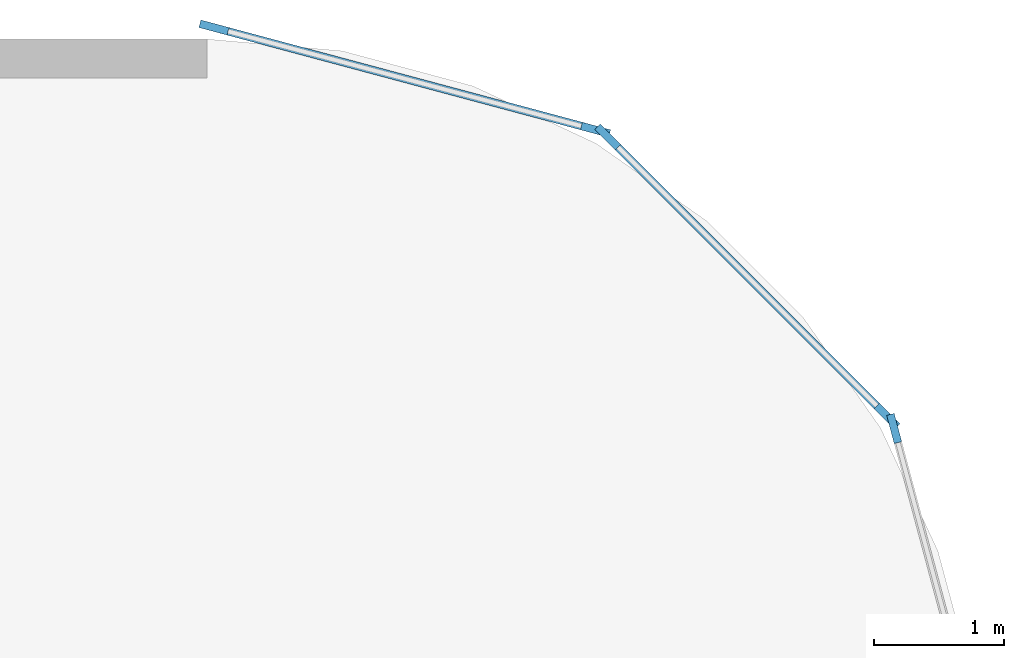
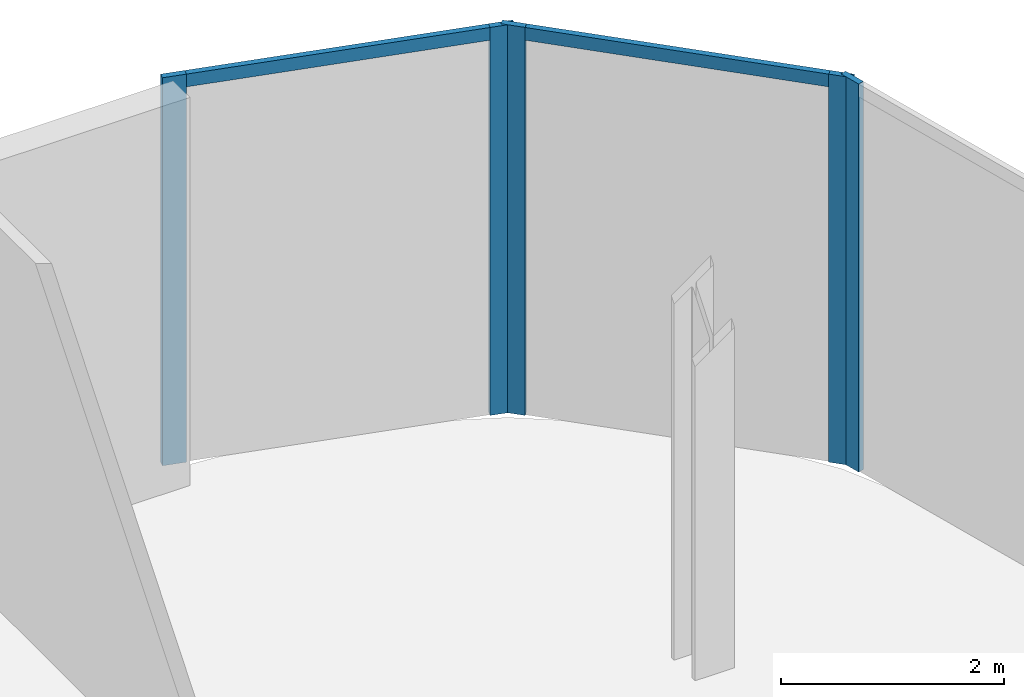
# One storey, part 23 of 43: 7 members, 3 elements without a shape of their own.
"""IFC4 building model written with IfcOpenShell, lengths in metres."""

from ifc_helpers import new_model, si_unit, direction, frame, origin, origin_2d, place, context, subcontext, project, spatial, rectangle, extrude, material, layer, layer_set, material_profile, profile_set, type_object, element, aggregate, save


model = new_model("IFC4")

# Units and contexts
model_context = context("Model", 3, precision=1e-05, world=origin(), true_north=direction((0.0, 1.0)))
body_context = subcontext(model_context, "Body", "Model", "MODEL_VIEW")
ifc_project = project(units=[si_unit("LENGTHUNIT", "METRE"), si_unit("AREAUNIT", "SQUARE_METRE"), si_unit("VOLUMEUNIT", "CUBIC_METRE"), si_unit("PLANEANGLEUNIT", "RADIAN"), si_unit("MASSUNIT", "GRAM", prefix="KILO")], contexts=[model_context])

# Site, building, storey
site_placement = place(None, origin())
site = spatial("IfcSite", under=ifc_project, at=site_placement, CompositionType="ELEMENT")
building_placement = place(site_placement, origin())
building = spatial("IfcBuilding", under=site, at=building_placement, Name="Kheshtan School and Residences Tower", CompositionType="ELEMENT")
storey_placement = place(building_placement, frame((0.0, 0.0, 26.0)))
storey = spatial("IfcBuildingStorey", under=building, at=storey_placement, Name="L05", CompositionType="ELEMENT", Elevation=26.0)

# Curtain wall, members
ifc_material_1 = material(Name="Clear low-e glass in thermally broken aluminium frame", Category="aluminium")
ifc_layer = layer(ifc_material_1, 0.22509765625)
ifc_layer_set = layer_set([ifc_layer], Name="Curtain wall CW-P")
curtain_wall_type = type_object("IfcCurtainWallType", Name="Curtain wall CW-P", PredefinedType="NOTDEFINED", material=ifc_layer_set)
curtain_wall_1_placement = place(storey_placement, origin())
curtain_wall_1 = element("IfcCurtainWall", 1, at=curtain_wall_1_placement, inside=storey, type_object=curtain_wall_type, Name="Curtain wall CWP5a", PredefinedType="NOTDEFINED")
ifc_material_2 = material(Name="Thermally broken aluminium, dark bronze anodised", Category="aluminium")
ifc_material_profile_1 = material_profile(ifc_material_2, rectangle(XDim=0.06005859375, YDim=0.22509765625, at=origin_2d()), Name="CW-P mullion 60x225")
ifc_profile_set_1 = profile_set([ifc_material_profile_1], Name="Thermally broken aluminium, dark bronze anodised")
member_type_1 = type_object("IfcMemberType", Name="CW-P mullion 60x225", PredefinedType="MULLION", material=ifc_profile_set_1)
member_1_placement = place(storey_placement, frame((126.054931640625, 110.0888671875, 0.0), z_axis=(0.0, 0.0, 1.0), x_axis=(0.258864833085, 0.965913556273, 0.0)))
member_1 = element("IfcMember", 2, at=member_1_placement, type_object=member_type_1, Name="CWP5a mullion 1", PredefinedType="MULLION", context=body_context, shape_type="SweptSolid", body=[
    extrude(rectangle(XDim=0.06005859375, YDim=0.22509765625, at=origin_2d()), origin(), (0.0, 0.0, 1.0), 4.25),
])
member_2_placement = place(storey_placement, frame((128.996826171875, 109.30029296875, 0.0), z_axis=(0.0, 0.0, 1.0), x_axis=(0.258864833085, 0.965913556273, 0.0)))
member_2 = element("IfcMember", 3, at=member_2_placement, type_object=member_type_1, Name="CWP5a mullion 2", PredefinedType="MULLION", context=body_context, shape_type="SweptSolid", body=[
    extrude(rectangle(XDim=0.06005859375, YDim=0.22509765625, at=origin_2d()), origin(), (0.0, 0.0, 1.0), 4.25),
])

curtain_wall_2_placement = place(storey_placement, origin())
curtain_wall_2 = element("IfcCurtainWall", 4, at=curtain_wall_2_placement, inside=storey, type_object=curtain_wall_type, Name="Curtain wall CWP6a", PredefinedType="NOTDEFINED")
member_3_placement = place(storey_placement, frame((129.092041015625, 109.24560546875, 0.0), z_axis=(0.0, 0.0, 1.0), x_axis=(0.707106781187, 0.707106781187, 0.0)))
member_3 = element("IfcMember", 5, at=member_3_placement, type_object=member_type_1, Name="CWP6a mullion 1", PredefinedType="MULLION", context=body_context, shape_type="SweptSolid", body=[
    extrude(rectangle(XDim=0.06005859375, YDim=0.22509765625, at=origin_2d()), origin(), (0.0, 0.0, 1.0), 4.25),
])
member_4_placement = place(storey_placement, frame((131.24560546875, 107.092041015625, 0.0), z_axis=(0.0, 0.0, 1.0), x_axis=(0.707106781187, 0.707106781187, 0.0)))
member_4 = element("IfcMember", 6, at=member_4_placement, type_object=member_type_1, Name="CWP6a mullion 2", PredefinedType="MULLION", context=body_context, shape_type="SweptSolid", body=[
    extrude(rectangle(XDim=0.06005859375, YDim=0.22509765625, at=origin_2d()), origin(), (0.0, 0.0, 1.0), 4.25),
])

# Curtain wall, member
curtain_wall_3_placement = place(storey_placement, origin())
curtain_wall_3 = element("IfcCurtainWall", 7, at=curtain_wall_3_placement, inside=storey, type_object=curtain_wall_type, Name="Curtain wall CWP7a", PredefinedType="NOTDEFINED")
member_5_placement = place(storey_placement, frame((131.30029296875, 106.996826171875, 0.0), z_axis=(0.0, 0.0, 1.0), x_axis=(0.965913556273, 0.258864833085, 0.0)))
member_5 = element("IfcMember", 8, at=member_5_placement, type_object=member_type_1, Name="CWP7a mullion 1", PredefinedType="MULLION", context=body_context, shape_type="SweptSolid", body=[
    extrude(rectangle(XDim=0.06005859375, YDim=0.22509765625, at=origin_2d()), origin(), (0.0, 0.0, 1.0), 4.25),
])
aggregate(curtain_wall_3, [member_5])

# Member
ifc_material_profile_2 = material_profile(ifc_material_2, rectangle(XDim=0.06005859375, YDim=0.139892578125, at=origin_2d()), Name="CW-P transom 60x140")
ifc_profile_set_2 = profile_set([ifc_material_profile_2], Name="Thermally broken aluminium, dark bronze anodised")
member_type_2 = type_object("IfcMemberType", Name="CW-P transom 60x140", PredefinedType="USERDEFINED", material=ifc_profile_set_2)
member_6_placement = place(storey_placement, frame((126.083740234375, 110.0810546875, 4.179931640625), z_axis=(0.965916663607, -0.258853238275, 0.0), x_axis=(0.258853238275, 0.965916663607, 0.0)))
member_6 = element("IfcMember", 9, at=member_6_placement, type_object=member_type_2, Name="CWP5a transom 1", ObjectType="TRANSOM", PredefinedType="USERDEFINED", context=body_context, shape_type="SweptSolid", body=[
    extrude(rectangle(XDim=0.06005859375, YDim=0.139892578125, at=origin_2d()), origin(), (0.0, 0.0, 1.0), 2.986083984375),
])

aggregate(curtain_wall_1, [member_1, member_2, member_6])

member_7_placement = place(storey_placement, frame((129.113037109375, 109.224365234375, 4.179931640625), z_axis=(0.707106781187, -0.707106781187, 0.0), x_axis=(0.707106781187, 0.707106781187, 0.0)))
member_7 = element("IfcMember", 10, at=member_7_placement, type_object=member_type_2, Name="CWP6a transom 1", ObjectType="TRANSOM", PredefinedType="USERDEFINED", context=body_context, shape_type="SweptSolid", body=[
    extrude(rectangle(XDim=0.06005859375, YDim=0.139892578125, at=origin_2d()), origin(), (0.0, 0.0, 1.0), 2.98583984375),
])

aggregate(curtain_wall_2, [member_3, member_4, member_7])

save(model, "model.ifc")
